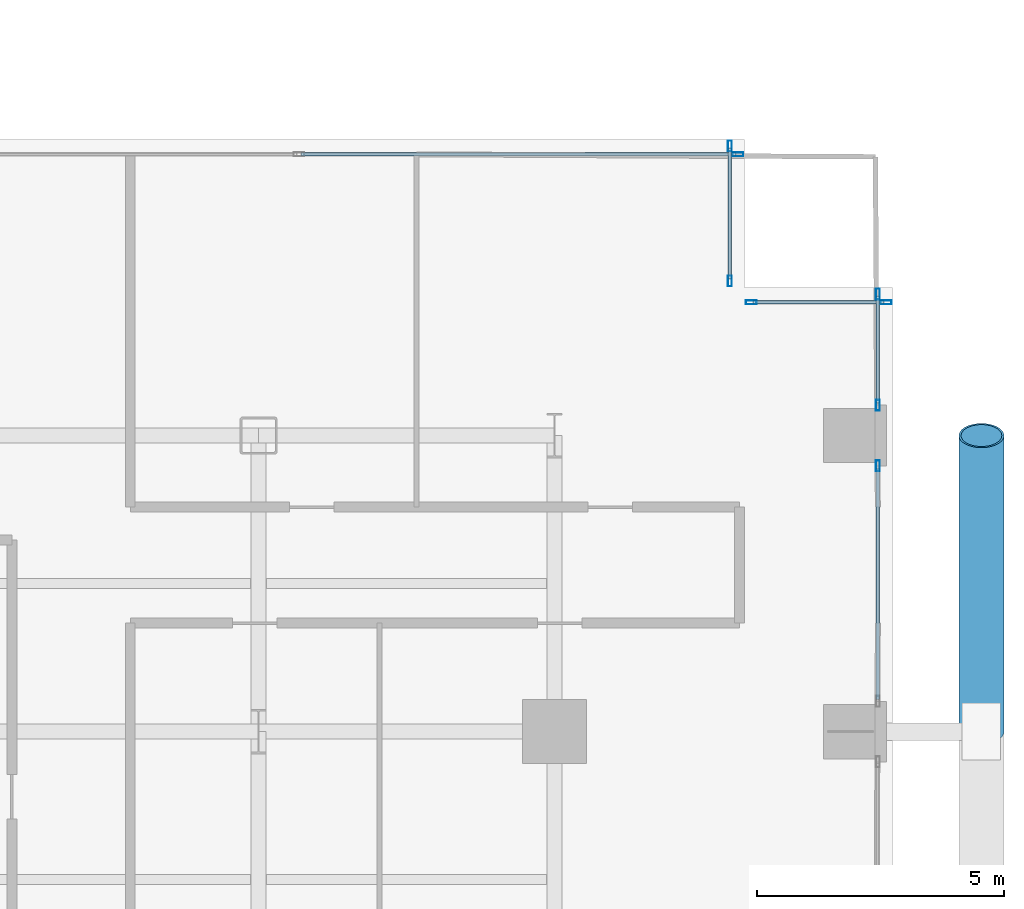
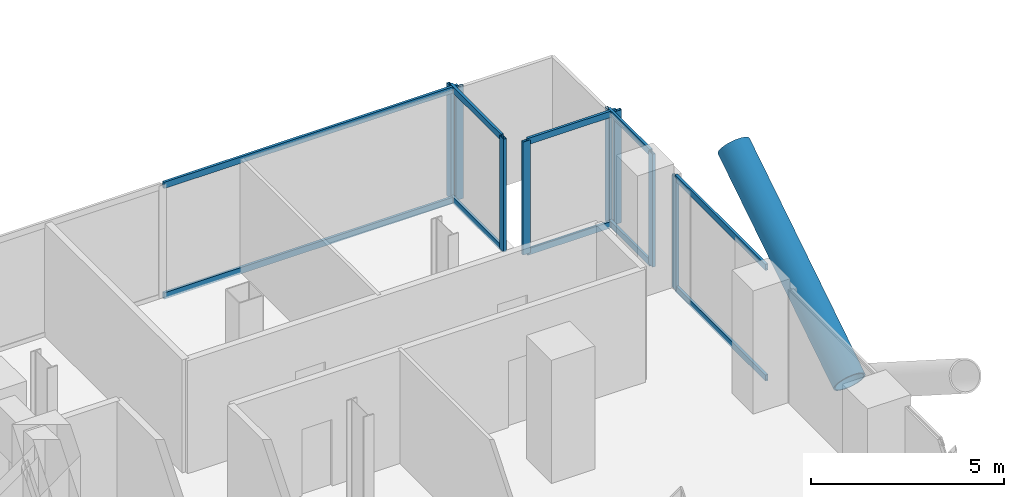
# One storey, part 12 of 27: 19 members, 5 elements without a shape of their own.
"""IFC4 building model written with IfcOpenShell, lengths in metres."""

from ifc_helpers import new_model, si_unit, direction, frame, origin, origin_2d, place, context, subcontext, project, spatial, hollow_rectangle, hollow_circle, extrude, material, layer, layer_set, material_profile, profile_set, type_object, element, aggregate, save


model = new_model("IFC4")

# Units and contexts
model_context = context("Model", 3, precision=1e-05, world=origin(), true_north=direction((0.0, 1.0)))
body_context = subcontext(model_context, "Body", "Model", "MODEL_VIEW")
ifc_project = project(units=[si_unit("LENGTHUNIT", "METRE"), si_unit("AREAUNIT", "SQUARE_METRE"), si_unit("VOLUMEUNIT", "CUBIC_METRE"), si_unit("PLANEANGLEUNIT", "RADIAN"), si_unit("MASSUNIT", "GRAM", prefix="KILO"), si_unit("THERMODYNAMICTEMPERATUREUNIT", "KELVIN"), si_unit("POWERUNIT", "WATT")], contexts=[model_context])

# Site, building, storey
site_placement = place(None, origin())
site = spatial("IfcSite", under=ifc_project, at=site_placement, CompositionType="ELEMENT")
building_placement = place(site_placement, origin())
building = spatial("IfcBuilding", under=site, at=building_placement, Name="Svarakhadi Broadcast Tower", CompositionType="ELEMENT")
storey_placement = place(building_placement, frame((0.0, 0.0, 90.89990234375)))
storey = spatial("IfcBuildingStorey", under=building, at=storey_placement, Name="L21", CompositionType="ELEMENT", Elevation=90.89990234375)

# Curtain wall, member
ifc_material_1 = material(Name="Anodised Bronze Aluminium AA 6063-T6", Category="aluminium")
ifc_layer = layer(ifc_material_1, 0.219970703125)
ifc_layer_set = layer_set([ifc_layer], Name="Anodised Bronze Aluminium AA 6063-T6")
curtain_wall_type = type_object("IfcCurtainWallType", Name="CW_Sys_02", PredefinedType="NOTDEFINED", material=ifc_layer_set)
curtain_wall_1_placement = place(storey_placement, origin())
curtain_wall_1 = element("IfcCurtainWall", 1, at=curtain_wall_1_placement, inside=storey, type_object=curtain_wall_type, Name="L21 Unitised Facade Curtain Wall 10", PredefinedType="NOTDEFINED")
ifc_material_profile_1 = material_profile(ifc_material_1, hollow_rectangle(XDim=0.0849609375, YDim=0.219970703125, WallThickness=0.006103515625, at=origin_2d()), Name="ALU MULLION 220x85x6")
ifc_profile_set_1 = profile_set([ifc_material_profile_1], Name="Anodised Bronze Aluminium AA 6063-T6")
member_type_1 = type_object("IfcMemberType", Name="CW_Sys_02_Mul", PredefinedType="MULLION", material=ifc_profile_set_1)
member_1_placement = place(storey_placement, frame((50.867431640625, 23.699951171875, 0.0), z_axis=(0.0, 0.0, 1.0), x_axis=(0.0, 1.0, 0.0)))
member_1 = element("IfcMember", 2, at=member_1_placement, type_object=member_type_1, Name="CW-02 mullion 4", PredefinedType="MULLION", context=body_context, shape_type="SweptSolid", body=[
    extrude(hollow_rectangle(XDim=0.0849609375, YDim=0.219970703125, WallThickness=0.006103515625, at=origin_2d()), origin(), (0.0, 0.0, 1.0), 3.5751953125),
])

# Curtain wall, members
curtain_wall_2_placement = place(storey_placement, origin())
curtain_wall_2 = element("IfcCurtainWall", 3, at=curtain_wall_2_placement, inside=storey, type_object=curtain_wall_type, Name="L21 Unitised Facade Curtain Wall 11", PredefinedType="NOTDEFINED")
member_2_placement = place(storey_placement, frame((50.699951171875, 23.867431640625, 0.0), z_axis=(0.0, 0.0, 1.0), x_axis=(1.0, 0.0, 0.0)))
member_2 = element("IfcMember", 4, at=member_2_placement, type_object=member_type_1, Name="CW-02 mullion 1", PredefinedType="MULLION", context=body_context, shape_type="SweptSolid", body=[
    extrude(hollow_rectangle(XDim=0.0849609375, YDim=0.219970703125, WallThickness=0.006103515625, at=origin_2d()), origin(), (0.0, 0.0, 1.0), 3.5751953125),
])
member_3_placement = place(storey_placement, frame((50.699951171875, 21.132568359375, 0.0), z_axis=(0.0, 0.0, 1.0), x_axis=(1.0, 0.0, 0.0)))
member_3 = element("IfcMember", 5, at=member_3_placement, type_object=member_type_1, Name="CW-02 mullion 2", PredefinedType="MULLION", context=body_context, shape_type="SweptSolid", body=[
    extrude(hollow_rectangle(XDim=0.0849609375, YDim=0.219970703125, WallThickness=0.006103515625, at=origin_2d()), origin(), (0.0, 0.0, 1.0), 3.5751953125),
])

curtain_wall_3_placement = place(storey_placement, origin())
curtain_wall_3 = element("IfcCurtainWall", 6, at=curtain_wall_3_placement, inside=storey, type_object=curtain_wall_type, Name="L21 Unitised Facade Curtain Wall 12", PredefinedType="NOTDEFINED")
member_4_placement = place(storey_placement, frame((51.132568359375, 20.699951171875, 0.0), z_axis=(0.0, 0.0, 1.0), x_axis=(0.0, 1.0, 0.0)))
member_4 = element("IfcMember", 7, at=member_4_placement, type_object=member_type_1, Name="CW-02 mullion 1", PredefinedType="MULLION", context=body_context, shape_type="SweptSolid", body=[
    extrude(hollow_rectangle(XDim=0.0849609375, YDim=0.219970703125, WallThickness=0.006103515625, at=origin_2d()), origin(), (0.0, 0.0, 1.0), 3.5751953125),
])
member_5_placement = place(storey_placement, frame((53.867431640625, 20.699951171875, 0.0), z_axis=(0.0, 0.0, 1.0), x_axis=(0.0, 1.0, 0.0)))
member_5 = element("IfcMember", 8, at=member_5_placement, type_object=member_type_1, Name="CW-02 mullion 2", PredefinedType="MULLION", context=body_context, shape_type="SweptSolid", body=[
    extrude(hollow_rectangle(XDim=0.0849609375, YDim=0.219970703125, WallThickness=0.006103515625, at=origin_2d()), origin(), (0.0, 0.0, 1.0), 3.5751953125),
])

curtain_wall_4_placement = place(storey_placement, origin())
curtain_wall_4 = element("IfcCurtainWall", 9, at=curtain_wall_4_placement, inside=storey, type_object=curtain_wall_type, Name="L21 Unitised Facade Curtain Wall 13 Bay 1", PredefinedType="NOTDEFINED")
member_6_placement = place(storey_placement, frame((53.699951171875, 20.867431640625, 0.0), z_axis=(0.0, 0.0, 1.0), x_axis=(1.0, 0.0, 0.0)))
member_6 = element("IfcMember", 10, at=member_6_placement, type_object=member_type_1, Name="CW-02 mullion 1", PredefinedType="MULLION", context=body_context, shape_type="SweptSolid", body=[
    extrude(hollow_rectangle(XDim=0.0849609375, YDim=0.219970703125, WallThickness=0.006103515625, at=origin_2d()), origin(), (0.0, 0.0, 1.0), 3.5751953125),
])
member_7_placement = place(storey_placement, frame((53.699951171875, 18.612548828125, 0.0), z_axis=(0.0, 0.0, 1.0), x_axis=(1.0, 0.0, 0.0)))
member_7 = element("IfcMember", 11, at=member_7_placement, type_object=member_type_1, Name="CW-02 mullion 2", PredefinedType="MULLION", context=body_context, shape_type="SweptSolid", body=[
    extrude(hollow_rectangle(XDim=0.0849609375, YDim=0.219970703125, WallThickness=0.006103515625, at=origin_2d()), origin(), (0.0, 0.0, 1.0), 3.5751953125),
])

# Curtain wall, member
curtain_wall_5_placement = place(storey_placement, origin())
curtain_wall_5 = element("IfcCurtainWall", 12, at=curtain_wall_5_placement, inside=storey, type_object=curtain_wall_type, Name="L21 Unitised Facade Curtain Wall 13 Bay 2", PredefinedType="NOTDEFINED")
member_8_placement = place(storey_placement, frame((53.699951171875, 17.387451171875, 0.0), z_axis=(0.0, 0.0, 1.0), x_axis=(1.0, 0.0, 0.0)))
member_8 = element("IfcMember", 13, at=member_8_placement, type_object=member_type_1, Name="CW-02 mullion 1", PredefinedType="MULLION", context=body_context, shape_type="SweptSolid", body=[
    extrude(hollow_rectangle(XDim=0.0849609375, YDim=0.219970703125, WallThickness=0.006103515625, at=origin_2d()), origin(), (0.0, 0.0, 1.0), 3.5751953125),
])

# Member
ifc_material_profile_2 = material_profile(ifc_material_1, hollow_rectangle(XDim=0.074951171875, YDim=0.199951171875, WallThickness=0.0048828125, at=origin_2d()), Name="ALU TRANSOM 200x75x5")
ifc_profile_set_2 = profile_set([ifc_material_profile_2], Name="Anodised Bronze Aluminium AA 6063-T6")
member_type_2 = type_object("IfcMemberType", Name="CW_Sys_02_Trn", PredefinedType="USERDEFINED", material=ifc_profile_set_2)
member_9_placement = place(storey_placement, frame((42.012451171875, 23.699951171875, 0.03759765625), z_axis=(1.0, 0.0, 0.0), x_axis=(0.0, 1.0, 0.0)))
member_9 = element("IfcMember", 14, at=member_9_placement, type_object=member_type_2, Name="CW-02 transom 3.1", ObjectType="TRANSOM", PredefinedType="USERDEFINED", context=body_context, shape_type="SweptSolid", body=[
    extrude(hollow_rectangle(XDim=0.074951171875, YDim=0.199951171875, WallThickness=0.0048828125, at=origin_2d()), origin(), (0.0, 0.0, 1.0), 8.8125),
])

member_10_placement = place(storey_placement, frame((42.012451171875, 23.699951171875, 3.53759765625), z_axis=(1.0, 0.0, 0.0), x_axis=(0.0, 1.0, 0.0)))
member_10 = element("IfcMember", 15, at=member_10_placement, type_object=member_type_2, Name="CW-02 transom 3.2", ObjectType="TRANSOM", PredefinedType="USERDEFINED", context=body_context, shape_type="SweptSolid", body=[
    extrude(hollow_rectangle(XDim=0.074951171875, YDim=0.199951171875, WallThickness=0.0048828125, at=origin_2d()), origin(), (0.0, 0.0, 1.0), 8.8125),
])

aggregate(curtain_wall_1, [member_1, member_9, member_10])

member_11_placement = place(storey_placement, frame((50.699951171875, 23.824951171875, 0.03759765625), z_axis=(0.0, -1.0, 0.0), x_axis=(1.0, 0.0, 0.0)))
member_11 = element("IfcMember", 16, at=member_11_placement, type_object=member_type_2, Name="CW-02 transom 1.1", ObjectType="TRANSOM", PredefinedType="USERDEFINED", context=body_context, shape_type="SweptSolid", body=[
    extrude(hollow_rectangle(XDim=0.074951171875, YDim=0.199951171875, WallThickness=0.0048828125, at=origin_2d()), origin(), (0.0, 0.0, 1.0), 2.64990234375),
])

member_12_placement = place(storey_placement, frame((50.699951171875, 23.824951171875, 3.53759765625), z_axis=(0.0, -1.0, 0.0), x_axis=(1.0, 0.0, 0.0)))
member_12 = element("IfcMember", 17, at=member_12_placement, type_object=member_type_2, Name="CW-02 transom 1.2", ObjectType="TRANSOM", PredefinedType="USERDEFINED", context=body_context, shape_type="SweptSolid", body=[
    extrude(hollow_rectangle(XDim=0.074951171875, YDim=0.199951171875, WallThickness=0.0048828125, at=origin_2d()), origin(), (0.0, 0.0, 1.0), 2.64990234375),
])

aggregate(curtain_wall_2, [member_2, member_3, member_11, member_12])

member_13_placement = place(storey_placement, frame((51.175048828125, 20.699951171875, 0.03759765625), z_axis=(1.0, 0.0, 0.0), x_axis=(0.0, 1.0, 0.0)))
member_13 = element("IfcMember", 18, at=member_13_placement, type_object=member_type_2, Name="CW-02 transom 1.1", ObjectType="TRANSOM", PredefinedType="USERDEFINED", context=body_context, shape_type="SweptSolid", body=[
    extrude(hollow_rectangle(XDim=0.074951171875, YDim=0.199951171875, WallThickness=0.0048828125, at=origin_2d()), origin(), (0.0, 0.0, 1.0), 2.64990234375),
])

member_14_placement = place(storey_placement, frame((51.175048828125, 20.699951171875, 3.53759765625), z_axis=(1.0, 0.0, 0.0), x_axis=(0.0, 1.0, 0.0)))
member_14 = element("IfcMember", 19, at=member_14_placement, type_object=member_type_2, Name="CW-02 transom 1.2", ObjectType="TRANSOM", PredefinedType="USERDEFINED", context=body_context, shape_type="SweptSolid", body=[
    extrude(hollow_rectangle(XDim=0.074951171875, YDim=0.199951171875, WallThickness=0.0048828125, at=origin_2d()), origin(), (0.0, 0.0, 1.0), 2.64990234375),
])

aggregate(curtain_wall_3, [member_4, member_5, member_13, member_14])

member_15_placement = place(storey_placement, frame((53.699951171875, 20.824951171875, 0.03759765625), z_axis=(0.0, -1.0, 0.0), x_axis=(1.0, 0.0, 0.0)))
member_15 = element("IfcMember", 20, at=member_15_placement, type_object=member_type_2, Name="CW-02 transom 1.1", ObjectType="TRANSOM", PredefinedType="USERDEFINED", context=body_context, shape_type="SweptSolid", body=[
    extrude(hollow_rectangle(XDim=0.074951171875, YDim=0.199951171875, WallThickness=0.0048828125, at=origin_2d()), origin(), (0.0, 0.0, 1.0), 2.169921875),
])

member_16_placement = place(storey_placement, frame((53.699951171875, 20.824951171875, 3.53759765625), z_axis=(0.0, -1.0, 0.0), x_axis=(1.0, 0.0, 0.0)))
member_16 = element("IfcMember", 21, at=member_16_placement, type_object=member_type_2, Name="CW-02 transom 1.2", ObjectType="TRANSOM", PredefinedType="USERDEFINED", context=body_context, shape_type="SweptSolid", body=[
    extrude(hollow_rectangle(XDim=0.074951171875, YDim=0.199951171875, WallThickness=0.0048828125, at=origin_2d()), origin(), (0.0, 0.0, 1.0), 2.169921875),
])

aggregate(curtain_wall_4, [member_6, member_7, member_15, member_16])

member_17_placement = place(storey_placement, frame((53.699951171875, 17.344970703125, 0.03759765625), z_axis=(0.0, -1.0, 0.0), x_axis=(1.0, 0.0, 0.0)))
member_17 = element("IfcMember", 22, at=member_17_placement, type_object=member_type_2, Name="CW-02 transom 1.1", ObjectType="TRANSOM", PredefinedType="USERDEFINED", context=body_context, shape_type="SweptSolid", body=[
    extrude(hollow_rectangle(XDim=0.074951171875, YDim=0.199951171875, WallThickness=0.0048828125, at=origin_2d()), origin(), (0.0, 0.0, 1.0), 4.68994140625),
])

member_18_placement = place(storey_placement, frame((53.699951171875, 17.344970703125, 3.53759765625), z_axis=(0.0, -1.0, 0.0), x_axis=(1.0, 0.0, 0.0)))
member_18 = element("IfcMember", 23, at=member_18_placement, type_object=member_type_2, Name="CW-02 transom 1.2", ObjectType="TRANSOM", PredefinedType="USERDEFINED", context=body_context, shape_type="SweptSolid", body=[
    extrude(hollow_rectangle(XDim=0.074951171875, YDim=0.199951171875, WallThickness=0.0048828125, at=origin_2d()), origin(), (0.0, 0.0, 1.0), 4.68994140625),
])

aggregate(curtain_wall_5, [member_8, member_17, member_18])

ifc_material_2 = material(Name="Steel S460ML (IS 2062 E450BR)", Category="steel")
ifc_material_profile_3 = material_profile(ifc_material_2, hollow_circle(Radius=0.45703125, WallThickness=0.044921875, at=origin_2d()), Name="CHS 914x45")
ifc_profile_set_3 = profile_set([ifc_material_profile_3], Name="Steel S460ML (IS 2062 E450BR)")
member_type_3 = type_object("IfcMemberType", Name="Exo_Brace_CHS914", PredefinedType="BRACE", material=ifc_profile_set_3)
member_19_placement = place(storey_placement, frame((55.800048828125, 12.0, -0.427734375), z_axis=(0.0, 0.843230308573, 0.53755245949), x_axis=(-1.0, 0.0, 0.0)))
element("IfcMember", 24, at=member_19_placement, inside=storey, type_object=member_type_3, Name="L21 Exposed Bronze Exoskeleton Diagonal E11", PredefinedType="BRACE", context=body_context, shape_type="SweptSolid", body=[
    extrude(hollow_circle(Radius=0.45703125, WallThickness=0.044921875, at=origin_2d()), origin(), (0.0, 0.0, 1.0), 7.115478515625),
])

save(model, "model.ifc")
